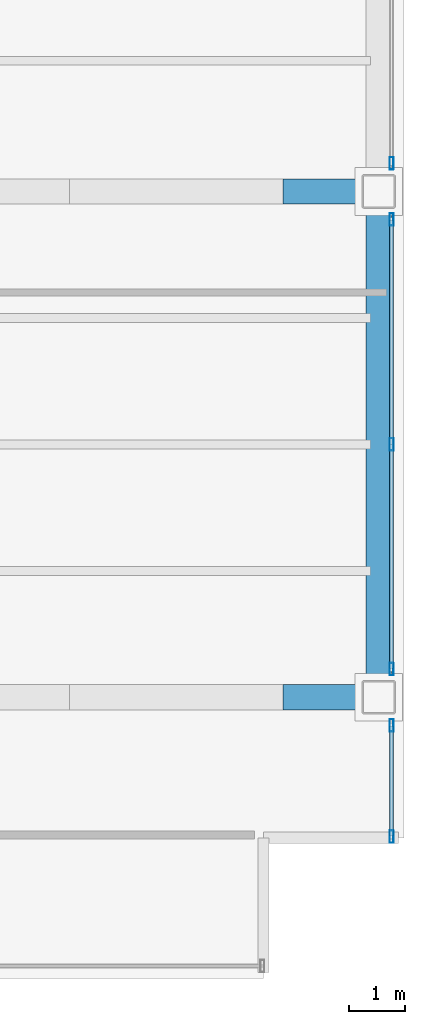
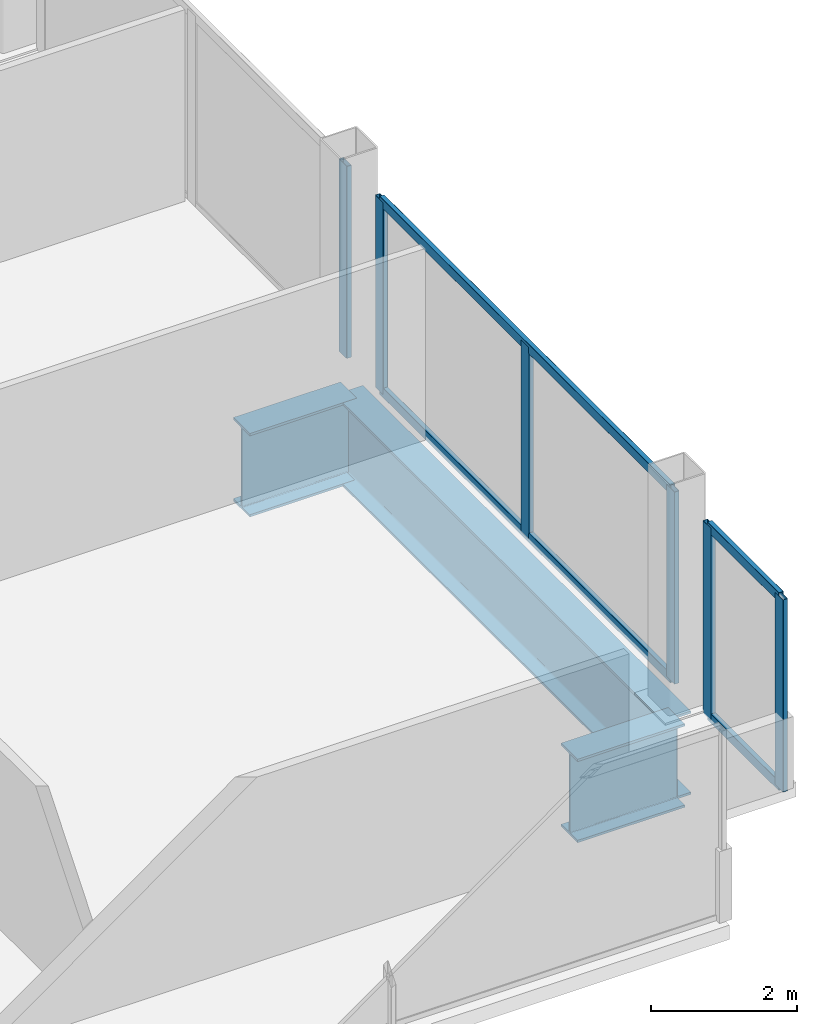
# One storey, part 13 of 23: 10 members, 3 beams, 3 elements without a shape of their own.
"""IFC4 building model written with IfcOpenShell, lengths in metres."""

from ifc_helpers import new_model, si_unit, direction, frame, origin, origin_2d, place, context, subcontext, project, spatial, hollow_rectangle, i_section, extrude, material, material_profile, profile_set, type_object, element, aggregate, save


model = new_model("IFC4")

# Units and contexts
model_context = context("Model", 3, precision=1e-05, world=origin(), true_north=direction((0.0, 1.0)))
body_context = subcontext(model_context, "Body", "Model", "MODEL_VIEW")
ifc_project = project(units=[si_unit("LENGTHUNIT", "METRE"), si_unit("AREAUNIT", "SQUARE_METRE"), si_unit("VOLUMEUNIT", "CUBIC_METRE"), si_unit("PLANEANGLEUNIT", "RADIAN"), si_unit("MASSUNIT", "GRAM", prefix="KILO")], contexts=[model_context])

# Site, building, storey
site_placement = place(None, origin())
site = spatial("IfcSite", under=ifc_project, at=site_placement, CompositionType="ELEMENT")
building_placement = place(site_placement, origin())
building = spatial("IfcBuilding", under=site, at=building_placement, Name="Noeulbin Bourse Tower", CompositionType="ELEMENT")
storey_placement = place(building_placement, frame((0.0, 0.0, 53.800048828125)))
storey = spatial("IfcBuildingStorey", under=building, at=storey_placement, Name="L13", CompositionType="ELEMENT", Elevation=53.800048828125)

# Beams
ifc_material_1 = material(Name="Steel S460", Category="steel")
ifc_material_profile_1 = material_profile(ifc_material_1, i_section(OverallWidth=0.449951171875, OverallDepth=1.39990234375, WebThickness=0.02392578125, FlangeThickness=0.0400390625, FilletRadius=0.02392578125, at=origin_2d()), Name="PG-1400x450x24x40", Category="LoadBearing")
ifc_profile_set_1 = profile_set([ifc_material_profile_1], Name="Steel S460")
beam_type = type_object("IfcBeamType", Name="BM-TRF-1400", PredefinedType="USERDEFINED", material=ifc_profile_set_1)
for number, where, z_axis, x_axis, name in (
    (1, (55.35009765625, 20.0, -0.93994140625), (1.0, 0.0, 0.0), (0.0, 1.0, 0.0), "Tower Primary Girder EW L13-1.8"),
    (2, (55.35009765625, 29.0, -0.93994140625), (1.0, 0.0, 0.0), (0.0, 1.0, 0.0), "Tower Primary Girder EW L13-2.8"),
):
    element("IfcBeam", number, at=place(storey_placement, frame(where, z_axis=z_axis, x_axis=x_axis)), inside=storey, type_object=beam_type, Name=name, ObjectType="GIRDER", PredefinedType="USERDEFINED", context=body_context, shape_type="SweptSolid", body=[
        extrude(i_section(OverallWidth=0.449951171875, OverallDepth=1.39990234375, WebThickness=0.02392578125, FlangeThickness=0.0400390625, FilletRadius=0.02392578125, at=origin_2d()), origin(), (0.0, 0.0, 1.0), 1.699951171875),
    ])
beam_placement = place(storey_placement, frame((57.050048828125, 20.0, -0.93994140625), z_axis=(0.0, 1.0, 0.0), x_axis=(-1.0, 0.0, 0.0)))
element("IfcBeam", 3, at=beam_placement, inside=storey, type_object=beam_type, Name="East Spandrel L13-1", ObjectType="GIRDER", PredefinedType="USERDEFINED", context=body_context, shape_type="SweptSolid", body=[
    extrude(i_section(OverallWidth=0.449951171875, OverallDepth=1.39990234375, WebThickness=0.02392578125, FlangeThickness=0.0400390625, FilletRadius=0.02392578125, at=origin_2d()), origin(), (0.0, 0.0, 1.0), 9.0),
])

# Curtain wall, members
ifc_material_2 = material(Name="Dark Solar-Control Double Glazing", Category="glass")
curtain_wall_type = type_object("IfcCurtainWallType", Name="CW-SYS-2", PredefinedType="NOTDEFINED", material=ifc_material_2)
curtain_wall_1_placement = place(storey_placement, origin())
curtain_wall_1 = element("IfcCurtainWall", 4, at=curtain_wall_1_placement, inside=storey, type_object=curtain_wall_type, Name="Unitised Curtain Wall CW-L13-E-S1", PredefinedType="NOTDEFINED")
ifc_material_3 = material(Name="Anodised Aluminium 6063-T6", Category="aluminium")
ifc_material_profile_2 = material_profile(ifc_material_3, hollow_rectangle(XDim=0.074951171875, YDim=0.219970703125, WallThickness=0.0048828125, InnerFilletRadius=0.00244140625, OuterFilletRadius=0.0048828125, at=origin_2d()), Name="ALU-MULL-75x220x5", Category="LoadBearing")
ifc_profile_set_2 = profile_set([ifc_material_profile_2], Name="Anodised Aluminium 6063-T6")
member_type_1 = type_object("IfcMemberType", Name="CW-SYS-2-MUL", PredefinedType="MULLION", material=ifc_profile_set_2)
member_1_placement = place(storey_placement, frame((57.280029296875, 17.52001953125, -0.02001953125), z_axis=(0.0, 0.0, 1.0), x_axis=(1.0, 0.0, 0.0)))
member_1 = element("IfcMember", 5, at=member_1_placement, type_object=member_type_1, Name="Curtain Wall Mullion CW-L13-E-S1-M00", PredefinedType="MULLION", context=body_context, shape_type="SweptSolid", body=[
    extrude(hollow_rectangle(XDim=0.074951171875, YDim=0.219970703125, WallThickness=0.0048828125, InnerFilletRadius=0.00244140625, OuterFilletRadius=0.0048828125, at=origin_2d()), origin(), (0.0, 0.0, 1.0), 3.219970703125),
])
member_2_placement = place(storey_placement, frame((57.280029296875, 19.5, -0.02001953125), z_axis=(0.0, 0.0, 1.0), x_axis=(1.0, 0.0, 0.0)))
member_2 = element("IfcMember", 6, at=member_2_placement, type_object=member_type_1, Name="Curtain Wall Mullion CW-L13-E-S1-M01", PredefinedType="MULLION", context=body_context, shape_type="SweptSolid", body=[
    extrude(hollow_rectangle(XDim=0.074951171875, YDim=0.219970703125, WallThickness=0.0048828125, InnerFilletRadius=0.00244140625, OuterFilletRadius=0.0048828125, at=origin_2d()), origin(), (0.0, 0.0, 1.0), 3.219970703125),
])

curtain_wall_2_placement = place(storey_placement, origin())
curtain_wall_2 = element("IfcCurtainWall", 7, at=curtain_wall_2_placement, inside=storey, type_object=curtain_wall_type, Name="Unitised Curtain Wall CW-L13-E-S2", PredefinedType="NOTDEFINED")
member_3_placement = place(storey_placement, frame((57.280029296875, 20.5, -0.02001953125), z_axis=(0.0, 0.0, 1.0), x_axis=(1.0, 0.0, 0.0)))
member_3 = element("IfcMember", 8, at=member_3_placement, type_object=member_type_1, Name="Curtain Wall Mullion CW-L13-E-S2-M00", PredefinedType="MULLION", context=body_context, shape_type="SweptSolid", body=[
    extrude(hollow_rectangle(XDim=0.074951171875, YDim=0.219970703125, WallThickness=0.0048828125, InnerFilletRadius=0.00244140625, OuterFilletRadius=0.0048828125, at=origin_2d()), origin(), (0.0, 0.0, 1.0), 3.219970703125),
])
member_4_placement = place(storey_placement, frame((57.280029296875, 24.5, -0.02001953125), z_axis=(0.0, 0.0, 1.0), x_axis=(1.0, 0.0, 0.0)))
member_4 = element("IfcMember", 9, at=member_4_placement, type_object=member_type_1, Name="Curtain Wall Mullion CW-L13-E-S2-M01", PredefinedType="MULLION", context=body_context, shape_type="SweptSolid", body=[
    extrude(hollow_rectangle(XDim=0.074951171875, YDim=0.219970703125, WallThickness=0.0048828125, InnerFilletRadius=0.00244140625, OuterFilletRadius=0.0048828125, at=origin_2d()), origin(), (0.0, 0.0, 1.0), 3.219970703125),
])
member_5_placement = place(storey_placement, frame((57.280029296875, 28.5, -0.02001953125), z_axis=(0.0, 0.0, 1.0), x_axis=(1.0, 0.0, 0.0)))
member_5 = element("IfcMember", 10, at=member_5_placement, type_object=member_type_1, Name="Curtain Wall Mullion CW-L13-E-S2-M02", PredefinedType="MULLION", context=body_context, shape_type="SweptSolid", body=[
    extrude(hollow_rectangle(XDim=0.074951171875, YDim=0.219970703125, WallThickness=0.0048828125, InnerFilletRadius=0.00244140625, OuterFilletRadius=0.0048828125, at=origin_2d()), origin(), (0.0, 0.0, 1.0), 3.219970703125),
])

# Curtain wall, member
curtain_wall_3_placement = place(storey_placement, origin())
curtain_wall_3 = element("IfcCurtainWall", 11, at=curtain_wall_3_placement, inside=storey, type_object=curtain_wall_type, Name="Unitised Curtain Wall CW-L13-E-S3", PredefinedType="NOTDEFINED")
member_6_placement = place(storey_placement, frame((57.280029296875, 29.5, -0.02001953125), z_axis=(0.0, 0.0, 1.0), x_axis=(1.0, 0.0, 0.0)))
member_6 = element("IfcMember", 12, at=member_6_placement, type_object=member_type_1, Name="Curtain Wall Mullion CW-L13-E-S3-M00", PredefinedType="MULLION", context=body_context, shape_type="SweptSolid", body=[
    extrude(hollow_rectangle(XDim=0.074951171875, YDim=0.219970703125, WallThickness=0.0048828125, InnerFilletRadius=0.00244140625, OuterFilletRadius=0.0048828125, at=origin_2d()), origin(), (0.0, 0.0, 1.0), 3.219970703125),
])
aggregate(curtain_wall_3, [member_6])

# Member
ifc_material_profile_3 = material_profile(ifc_material_3, hollow_rectangle(XDim=0.074951171875, YDim=0.159912109375, WallThickness=0.0048828125, InnerFilletRadius=0.00244140625, OuterFilletRadius=0.0048828125, at=origin_2d()), Name="ALU-TRAN-75x160x5", Category="LoadBearing")
ifc_profile_set_3 = profile_set([ifc_material_profile_3], Name="Anodised Aluminium 6063-T6")
member_type_2 = type_object("IfcMemberType", Name="CW-SYS-2-TRN", PredefinedType="USERDEFINED", material=ifc_profile_set_3)
member_7_placement = place(storey_placement, frame((57.280029296875, 17.530029296875, 0.010009765625), z_axis=(0.0, 1.0, 0.0), x_axis=(-1.0, 0.0, 0.0)))
member_7 = element("IfcMember", 13, at=member_7_placement, type_object=member_type_2, Name="Curtain Wall Transom CW-L13-E-S1-T00", ObjectType="TRANSOM", PredefinedType="USERDEFINED", context=body_context, shape_type="SweptSolid", body=[
    extrude(hollow_rectangle(XDim=0.074951171875, YDim=0.159912109375, WallThickness=0.0048828125, InnerFilletRadius=0.00244140625, OuterFilletRadius=0.0048828125, at=origin_2d()), origin(), (0.0, 0.0, 1.0), 1.9599609375),
])

member_8_placement = place(storey_placement, frame((57.280029296875, 17.530029296875, 3.169921875), z_axis=(0.0, 1.0, 0.0), x_axis=(-1.0, 0.0, 0.0)))
member_8 = element("IfcMember", 14, at=member_8_placement, type_object=member_type_2, Name="Curtain Wall Transom CW-L13-E-S1-T01", ObjectType="TRANSOM", PredefinedType="USERDEFINED", context=body_context, shape_type="SweptSolid", body=[
    extrude(hollow_rectangle(XDim=0.074951171875, YDim=0.159912109375, WallThickness=0.0048828125, InnerFilletRadius=0.00244140625, OuterFilletRadius=0.0048828125, at=origin_2d()), origin(), (0.0, 0.0, 1.0), 1.9599609375),
])

aggregate(curtain_wall_1, [member_1, member_2, member_7, member_8])

member_9_placement = place(storey_placement, frame((57.280029296875, 20.510009765625, 0.010009765625), z_axis=(0.0, 1.0, 0.0), x_axis=(-1.0, 0.0, 0.0)))
member_9 = element("IfcMember", 15, at=member_9_placement, type_object=member_type_2, Name="Curtain Wall Transom CW-L13-E-S2-T00", ObjectType="TRANSOM", PredefinedType="USERDEFINED", context=body_context, shape_type="SweptSolid", body=[
    extrude(hollow_rectangle(XDim=0.074951171875, YDim=0.159912109375, WallThickness=0.0048828125, InnerFilletRadius=0.00244140625, OuterFilletRadius=0.0048828125, at=origin_2d()), origin(), (0.0, 0.0, 1.0), 7.97998046875),
])

member_10_placement = place(storey_placement, frame((57.280029296875, 20.510009765625, 3.169921875), z_axis=(0.0, 1.0, 0.0), x_axis=(-1.0, 0.0, 0.0)))
member_10 = element("IfcMember", 16, at=member_10_placement, type_object=member_type_2, Name="Curtain Wall Transom CW-L13-E-S2-T01", ObjectType="TRANSOM", PredefinedType="USERDEFINED", context=body_context, shape_type="SweptSolid", body=[
    extrude(hollow_rectangle(XDim=0.074951171875, YDim=0.159912109375, WallThickness=0.0048828125, InnerFilletRadius=0.00244140625, OuterFilletRadius=0.0048828125, at=origin_2d()), origin(), (0.0, 0.0, 1.0), 7.97998046875),
])

aggregate(curtain_wall_2, [member_3, member_4, member_5, member_9, member_10])

save(model, "model.ifc")
